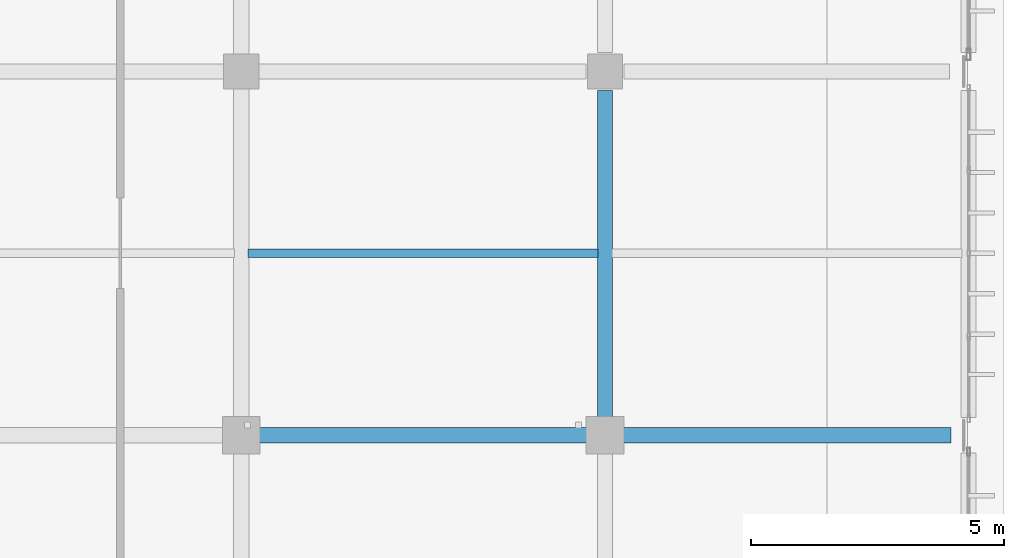
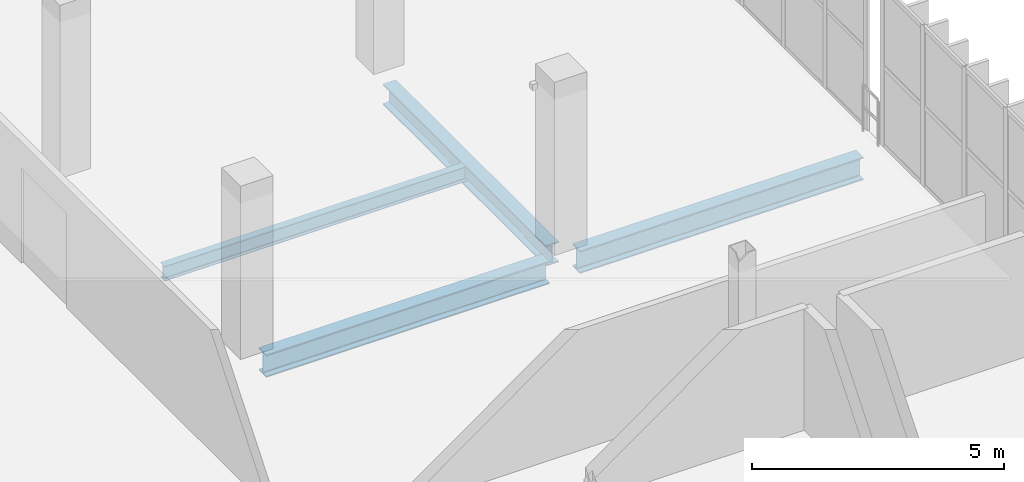
# One storey, part 78 of 130: 4 beams.
"""IFC4 building model written with IfcOpenShell, lengths in metres."""

from ifc_helpers import new_model, si_unit, direction, frame, origin, origin_2d, place, context, subcontext, project, spatial, i_section, extrude, material, material_profile, profile_set, type_object, element, save


model = new_model("IFC4")

# Units and contexts
model_context = context("Model", 3, precision=1e-05, world=origin(), true_north=direction((0.0, 1.0)))
body_context = subcontext(model_context, "Body", "Model", "MODEL_VIEW")
ifc_project = project(units=[si_unit("LENGTHUNIT", "METRE"), si_unit("AREAUNIT", "SQUARE_METRE"), si_unit("VOLUMEUNIT", "CUBIC_METRE"), si_unit("PLANEANGLEUNIT", "RADIAN"), si_unit("MASSUNIT", "GRAM", prefix="KILO")], contexts=[model_context])

# Site, building, storey
site_placement = place(None, origin())
site = spatial("IfcSite", under=ifc_project, at=site_placement, CompositionType="ELEMENT")
building_placement = place(site_placement, origin())
building = spatial("IfcBuilding", under=site, at=building_placement, Name="Qandorah Velis Arena", CompositionType="ELEMENT")
storey_placement = place(building_placement, frame((0.0, 0.0, 9.60009765625)))
storey = spatial("IfcBuildingStorey", under=building, at=storey_placement, Name="L02", CompositionType="ELEMENT", Elevation=9.60009765625)

# Beams
ifc_material = material(Name="Steel S355", Category="steel")
ifc_material_profile_1 = material_profile(ifc_material, i_section(OverallWidth=0.300048828125, OverallDepth=0.5, WebThickness=0.014404296875, FlangeThickness=0.028076171875, FilletRadius=0.027099609375, at=origin_2d()), Name="HEB 500")
ifc_profile_set_1 = profile_set([ifc_material_profile_1], Name="Steel S355")
beam_type_1 = type_object("IfcBeamType", Name="STR-BM-HEB500", PredefinedType="BEAM", material=ifc_profile_set_1)
beam_1_placement = place(storey_placement, frame((165.60009765625, 65.14990234375, -0.530029296875), z_axis=(0.0, 1.0, 0.0), x_axis=(-1.0, 0.0, 0.0)))
element("IfcBeam", 1, at=beam_1_placement, inside=storey, type_object=beam_type_1, Name="Primary floor girder L02 Y-342", PredefinedType="BEAM", context=body_context, shape_type="SweptSolid", body=[
    extrude(i_section(OverallWidth=0.300048828125, OverallDepth=0.5, WebThickness=0.014404296875, FlangeThickness=0.028076171875, FilletRadius=0.027099609375, at=origin_2d()), origin(), (0.0, 0.0, 1.0), 6.47509765625),
])
ifc_material_profile_2 = material_profile(ifc_material, i_section(OverallWidth=0.300048828125, OverallDepth=0.550048828125, WebThickness=0.014892578125, FlangeThickness=0.029052734375, FilletRadius=0.027099609375, at=origin_2d()), Name="HEB 550")
ifc_profile_set_2 = profile_set([ifc_material_profile_2], Name="Steel S355")
beam_type_2 = type_object("IfcBeamType", Name="STR-BM-HEB550", PredefinedType="BEAM", material=ifc_profile_set_2)
for number, where, z_axis, x_axis, name in (
    (2, (158.75, 64.800048828125, -0.55517578125), (1.0, 0.0, 0.0), (0.0, 1.0, 0.0), "Primary floor girder L02 X-096"),
    (3, (165.949951171875, 64.800048828125, -0.55517578125), (1.0, 0.0, 0.0), (0.0, 1.0, 0.0), "Primary floor girder L02 X-097"),
):
    element("IfcBeam", number, at=place(storey_placement, frame(where, z_axis=z_axis, x_axis=x_axis)), inside=storey, type_object=beam_type_2, Name=name, PredefinedType="BEAM", context=body_context, shape_type="SweptSolid", body=[
        extrude(i_section(OverallWidth=0.300048828125, OverallDepth=0.550048828125, WebThickness=0.014892578125, FlangeThickness=0.029052734375, FilletRadius=0.027099609375, at=origin_2d()), origin(), (0.0, 0.0, 1.0), 6.5),
    ])
ifc_material_profile_3 = material_profile(ifc_material, i_section(OverallWidth=0.169921875, OverallDepth=0.360107421875, WebThickness=0.008056640625, FlangeThickness=0.0126953125, FilletRadius=0.01806640625, at=origin_2d()), Name="IPE 360")
ifc_profile_set_3 = profile_set([ifc_material_profile_3], Name="Steel S355")
beam_type_3 = type_object("IfcBeamType", Name="STR-JST-IPE360", PredefinedType="JOIST", material=ifc_profile_set_3)
beam_2_placement = place(storey_placement, frame((158.534912109375, 68.39990234375, -0.460205078125), z_axis=(1.0, 0.0, 0.0), x_axis=(0.0, 1.0, 0.0)))
element("IfcBeam", 4, at=beam_2_placement, inside=storey, type_object=beam_type_3, Name="Secondary floor joist L02-102", PredefinedType="JOIST", context=body_context, shape_type="SweptSolid", body=[
    extrude(i_section(OverallWidth=0.169921875, OverallDepth=0.360107421875, WebThickness=0.008056640625, FlangeThickness=0.0126953125, FilletRadius=0.01806640625, at=origin_2d()), origin(), (0.0, 0.0, 1.0), 6.93017578125),
])

save(model, "model.ifc")
